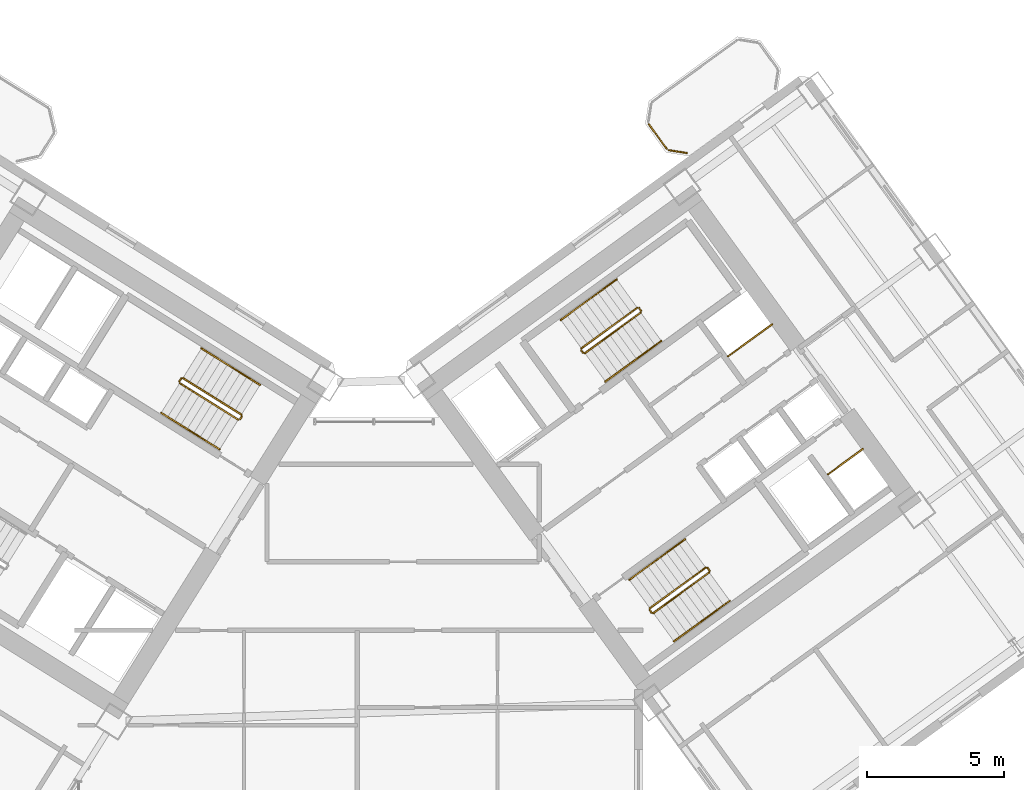
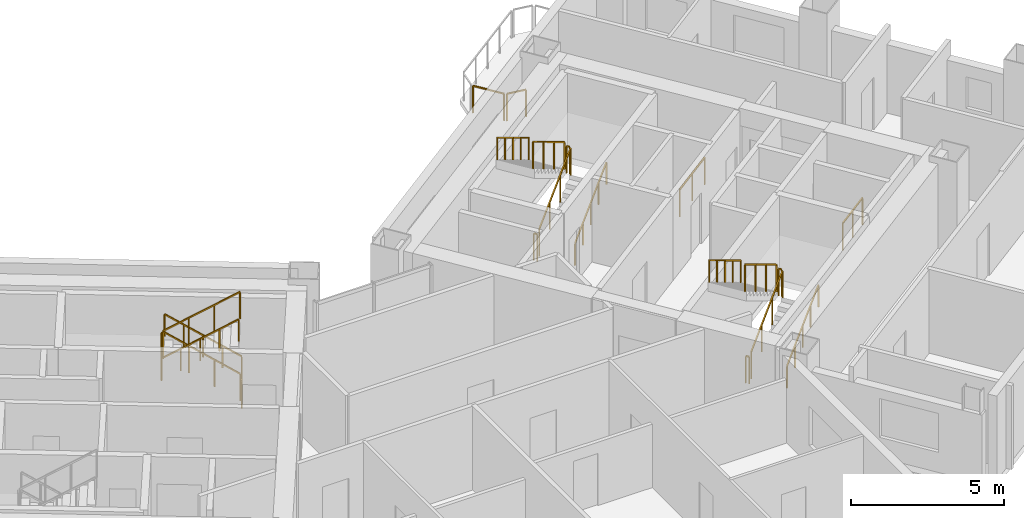
# One storey, part 23 of 24: 28 railings.
"""IFC4 building model written with IfcOpenShell, lengths in metres."""

from ifc_helpers import new_model, si_unit, direction, frame, origin, origin_2d, place, context, subcontext, project, spatial, rectangle, extrude, source, transform, mapped, material, type_object, element, save


model = new_model("IFC4")

# Units and contexts
model_context = context("Model", 3, precision=1e-05, world=origin(), true_north=direction((0.0, 1.0)))
body_context = subcontext(model_context, "Body", "Model", "MODEL_VIEW")
ifc_project = project(units=[si_unit("LENGTHUNIT", "METRE"), si_unit("AREAUNIT", "SQUARE_METRE"), si_unit("VOLUMEUNIT", "CUBIC_METRE"), si_unit("PLANEANGLEUNIT", "RADIAN"), si_unit("MASSUNIT", "GRAM", prefix="KILO")], contexts=[model_context])

# Site, building, storey
site_placement = place(None, origin())
site = spatial("IfcSite", under=ifc_project, at=site_placement, CompositionType="ELEMENT")
building_placement = place(site_placement, origin())
building = spatial("IfcBuilding", under=site, at=building_placement, Name="Tlacorven Tower", CompositionType="ELEMENT")
storey_placement = place(building_placement, frame((0.0, 0.0, 60.0)))
storey = spatial("IfcBuildingStorey", under=building, at=storey_placement, Name="L15", CompositionType="ELEMENT", Elevation=60.0)

# Railings
ifc_material = material(Name="Aluminium and painted steel balustrade", Category="steel")
railing_type_1 = type_object("IfcRailingType", Name="RL-GRD-1100", PredefinedType="GUARDRAIL", material=ifc_material)
shared_shape_1 = source(origin(), body_context, "Body", "SweptSolid", [
    extrude(rectangle(XDim=0.048095703125, YDim=0.048095703125, at=origin_2d()), frame((0.0, 0.0, 1.076171875), z_axis=(0.808947177504, 0.587881334972, 0.0), x_axis=(-0.587881334972, 0.808947177504, 0.0)), (0.0, 0.0, 1.0), 2.0),
    extrude(rectangle(XDim=0.0419921875, YDim=0.0419921875, at=origin_2d()), origin(), (0.0, 0.0, 1.0), 1.052001953125),
    extrude(rectangle(XDim=0.0419921875, YDim=0.0419921875, at=origin_2d()), frame((0.80908203125, 0.587890625, 0.0)), (0.0, 0.0, 1.0), 1.052001953125),
    extrude(rectangle(XDim=0.0419921875, YDim=0.0419921875, at=origin_2d()), frame((1.617919921875, 1.17578125, 0.0)), (0.0, 0.0, 1.0), 1.052001953125),
])
railing_1_placement = place(storey_placement, frame((55.506103515625, 25.438232421875, 0.0)))
element("IfcRailing", 1, at=railing_1_placement, inside=storey, type_object=railing_type_1, Name="L15 Electrical Riser E Shaft Guard 1", PredefinedType="GUARDRAIL", context=body_context, shape_type="MappedRepresentation", body=[
    mapped(shared_shape_1, transform((0.0, 0.0, 0.0), scale=1.0)),
])
shared_shape_2 = source(origin(), body_context, "Body", "SweptSolid", [
    extrude(rectangle(XDim=0.048095703125, YDim=0.048095703125, at=origin_2d()), frame((0.0, 0.0, 1.076171875), z_axis=(0.809029975545, 0.58776738483, 0.0), x_axis=(-0.58776738483, 0.809029975545, 0.0)), (0.0, 0.0, 1.0), 1.580078125),
    extrude(rectangle(XDim=0.0419921875, YDim=0.0419921875, at=origin_2d()), origin(), (0.0, 0.0, 1.0), 1.052001953125),
    extrude(rectangle(XDim=0.0419921875, YDim=0.0419921875, at=origin_2d()), frame((0.63916015625, 0.46435546875, 0.0)), (0.0, 0.0, 1.0), 1.052001953125),
    extrude(rectangle(XDim=0.0419921875, YDim=0.0419921875, at=origin_2d()), frame((1.2783203125, 0.9287109375, 0.0)), (0.0, 0.0, 1.0), 1.052001953125),
])
railing_2_placement = place(storey_placement, frame((59.160888671875, 21.122314453125, 0.0)))
element("IfcRailing", 2, at=railing_2_placement, inside=storey, type_object=railing_type_1, Name="L15 Smoke Riser E Shaft Guard 1", PredefinedType="GUARDRAIL", context=body_context, shape_type="MappedRepresentation", body=[
    mapped(shared_shape_2, transform((0.0, 0.0, 0.0), scale=1.0)),
])
railing_type_2 = type_object("IfcRailingType", Name="RL-BAL-1100", PredefinedType="BALUSTRADE", material=ifc_material)
shared_shape_3 = source(origin(), body_context, "Body", "SweptSolid", [
    extrude(rectangle(XDim=0.048095703125, YDim=0.048095703125, at=origin_2d()), frame((0.0, 0.0, 1.076171875), z_axis=(-0.987718317463, 0.156245081039, 0.0), x_axis=(-0.156245081039, -0.987718317463, 0.0)), (0.0, 0.0, 1.0), 0.66552734375),
    extrude(rectangle(XDim=0.0419921875, YDim=0.0419921875, at=origin_2d()), origin(), (0.0, 0.0, 1.0), 1.052001953125),
    extrude(rectangle(XDim=0.0419921875, YDim=0.0419921875, at=origin_2d()), frame((-0.657470703125, 0.10400390625, 0.0)), (0.0, 0.0, 1.0), 1.052001953125),
])
railing_3_placement = place(storey_placement, frame((54.00341796875, 32.8759765625, 0.0)))
element("IfcRailing", 3, at=railing_3_placement, inside=storey, type_object=railing_type_2, Name="BAL-L15-E-IN Guard Railing 1", PredefinedType="BALUSTRADE", context=body_context, shape_type="MappedRepresentation", body=[
    mapped(shared_shape_3, transform((0.0, 0.0, 0.0), scale=1.0)),
])
shared_shape_4 = source(origin(), body_context, "Body", "SweptSolid", [
    extrude(rectangle(XDim=0.048095703125, YDim=0.048095703125, at=origin_2d()), frame((0.0, 0.0, 1.076171875), z_axis=(-0.587740817519, 0.809049276263, 0.0), x_axis=(-0.809049276263, -0.587740817519, 0.0)), (0.0, 0.0, 1.0), 1.112060546875),
    extrude(rectangle(XDim=0.0419921875, YDim=0.0419921875, at=origin_2d()), origin(), (0.0, 0.0, 1.0), 1.052001953125),
    extrude(rectangle(XDim=0.0419921875, YDim=0.0419921875, at=origin_2d()), frame((-0.653564453125, 0.899658203125, 0.0)), (0.0, 0.0, 1.0), 1.052001953125),
])
railing_4_placement = place(storey_placement, frame((53.26708984375, 33.0283203125, 0.0)))
element("IfcRailing", 4, at=railing_4_placement, inside=storey, type_object=railing_type_2, Name="BAL-L15-E-IN Guard Railing 2", PredefinedType="BALUSTRADE", context=body_context, shape_type="MappedRepresentation", body=[
    mapped(shared_shape_4, transform((0.0, 0.0, 0.0), scale=1.0)),
])
shared_shape_5 = source(origin(), body_context, "Body", "SweptSolid", [
    extrude(rectangle(XDim=0.048095703125, YDim=0.048095703125, at=origin_2d()), frame((0.0, 0.0, 1.076171875), z_axis=(-0.713319727316, 0.445773895627, 0.540796265334), x_axis=(-0.529955395941, -0.84802551749, 0.0)), (0.0, 0.0, 1.0), 2.995849609375),
    extrude(rectangle(XDim=0.0419921875, YDim=0.0419921875, at=origin_2d()), origin(), (0.0, 0.0, 1.0), 1.052001953125),
    extrude(rectangle(XDim=0.0419921875, YDim=0.0419921875, at=origin_2d()), frame((-0.71240234375, 0.445068359375, 0.5400390625)), (0.0, 0.0, 1.0), 1.052001953125),
    extrude(rectangle(XDim=0.0419921875, YDim=0.0419921875, at=origin_2d()), frame((-1.424560546875, 0.890380859375, 1.080078125)), (0.0, 0.0, 1.0), 1.052001953125),
    extrude(rectangle(XDim=0.0419921875, YDim=0.0419921875, at=origin_2d()), frame((-2.136962890625, 1.33544921875, 1.6201171875)), (0.0, 0.0, 1.0), 1.052001953125),
])
railing_5_placement = place(storey_placement, frame((37.712158203125, 23.3095703125, 0.179931640625)))
element("IfcRailing", 5, at=railing_5_placement, inside=storey, type_object=railing_type_1, Name="L15 ST-W2 stair guard 1", PredefinedType="GUARDRAIL", context=body_context, shape_type="MappedRepresentation", body=[
    mapped(shared_shape_5, transform((0.0, 0.0, 0.0), scale=1.0)),
])
shared_shape_6 = source(origin(), body_context, "Body", "SweptSolid", [
    extrude(rectangle(XDim=0.048095703125, YDim=0.048095703125, at=origin_2d()), frame((0.0, 0.0, 1.076171875), z_axis=(-0.530546985787, -0.847655529016, 0.0), x_axis=(0.847655529016, -0.530546985787, 0.0)), (0.0, 0.0, 1.0), 0.1201171875),
    extrude(rectangle(XDim=0.0419921875, YDim=0.0419921875, at=origin_2d()), origin(), (0.0, 0.0, 1.0), 1.052001953125),
    extrude(rectangle(XDim=0.0419921875, YDim=0.0419921875, at=origin_2d()), frame((-0.063720703125, -0.101806640625, 0.0)), (0.0, 0.0, 1.0), 1.052001953125),
])
railing_6_placement = place(storey_placement, frame((37.728271484375, 23.24072265625, 0.0)))
element("IfcRailing", 6, at=railing_6_placement, inside=storey, type_object=railing_type_1, Name="L15 ST-W2 stair guard 4", PredefinedType="GUARDRAIL", context=body_context, shape_type="MappedRepresentation", body=[
    mapped(shared_shape_6, transform((0.0, 0.0, 0.0), scale=1.0)),
])
railing_type_3 = type_object("IfcRailingType", Name="RL-HND-0900", PredefinedType="HANDRAIL", material=ifc_material)
shared_shape_7 = source(origin(), body_context, "Body", "SweptSolid", [
    extrude(rectangle(XDim=0.048095703125, YDim=0.048095703125, at=origin_2d()), frame((0.0, 0.0, 0.8759765625), z_axis=(-0.713359751793, 0.4457479829, 0.540764828981), x_axis=(-0.529911857636, -0.848052724267, 0.0)), (0.0, 0.0, 1.0), 1.498046875),
    extrude(rectangle(XDim=0.0419921875, YDim=0.0419921875, at=origin_2d()), origin(), (0.0, 0.0, 1.0), 0.851806640625),
    extrude(rectangle(XDim=0.0419921875, YDim=0.0419921875, at=origin_2d()), frame((-0.5341796875, 0.333984375, 0.405029296875)), (0.0, 0.0, 1.0), 0.851806640625),
    extrude(rectangle(XDim=0.0419921875, YDim=0.0419921875, at=origin_2d()), frame((-1.068603515625, 0.667724609375, 0.81005859375)), (0.0, 0.0, 1.0), 0.851806640625),
])
for number, where, name in (
    (7, (38.390625, 24.39501953125, 0.179931640625), "L15 ST-W2 stair handrail 1"),
    (8, (37.322021484375, 25.062744140625, 0.989990234375), "L15 ST-W2 stair handrail 2"),
):
    element("IfcRailing", number, at=place(storey_placement, frame(where)), inside=storey, type_object=railing_type_3, Name=name, PredefinedType="HANDRAIL", context=body_context, shape_type="MappedRepresentation", body=[
        mapped(shared_shape_7, transform((0.0, 0.0, 0.0), scale=1.0)),
    ])
shared_shape_8 = source(origin(), body_context, "Body", "SweptSolid", [
    extrude(rectangle(XDim=0.048095703125, YDim=0.048095703125, at=origin_2d()), frame((0.0, 0.0, 0.8759765625), z_axis=(0.713359751793, -0.4457479829, 0.540764828981), x_axis=(0.529911857636, 0.848052724267, 0.0)), (0.0, 0.0, 1.0), 1.498046875),
    extrude(rectangle(XDim=0.0419921875, YDim=0.0419921875, at=origin_2d()), origin(), (0.0, 0.0, 1.0), 0.851806640625),
    extrude(rectangle(XDim=0.0419921875, YDim=0.0419921875, at=origin_2d()), frame((0.5341796875, -0.333984375, 0.405029296875)), (0.0, 0.0, 1.0), 0.851806640625),
    extrude(rectangle(XDim=0.0419921875, YDim=0.0419921875, at=origin_2d()), frame((1.068603515625, -0.667724609375, 0.81005859375)), (0.0, 0.0, 1.0), 0.851806640625),
])
for number, where, name in (
    (9, (34.7802734375, 23.372802734375, 1.97998046875), "L15 ST-W2 stair handrail 3"),
    (10, (35.848876953125, 22.705078125, 2.7900390625), "L15 ST-W2 stair handrail 4"),
):
    element("IfcRailing", number, at=place(storey_placement, frame(where)), inside=storey, type_object=railing_type_3, Name=name, PredefinedType="HANDRAIL", context=body_context, shape_type="MappedRepresentation", body=[
        mapped(shared_shape_8, transform((0.0, 0.0, 0.0), scale=1.0)),
    ])
shared_shape_9 = source(origin(), body_context, "Body", "SweptSolid", [
    extrude(rectangle(XDim=0.048095703125, YDim=0.048095703125, at=origin_2d()), frame((0.0, 0.0, 1.076171875), z_axis=(-0.531462422766, -0.847081869236, 0.0), x_axis=(0.847081869236, -0.531462422766, 0.0)), (0.0, 0.0, 1.0), 0.119873046875),
    extrude(rectangle(XDim=0.0419921875, YDim=0.0419921875, at=origin_2d()), origin(), (0.0, 0.0, 1.0), 1.052001953125),
    extrude(rectangle(XDim=0.0419921875, YDim=0.0419921875, at=origin_2d()), frame((-0.063720703125, -0.1015625, 0.0)), (0.0, 0.0, 1.0), 1.052001953125),
])
railing_7_placement = place(storey_placement, frame((35.50634765625, 24.62890625, 1.800048828125)))
element("IfcRailing", 11, at=railing_7_placement, inside=storey, type_object=railing_type_1, Name="L15 ST-W2 stair guard 2", PredefinedType="GUARDRAIL", context=body_context, shape_type="MappedRepresentation", body=[
    mapped(shared_shape_9, transform((0.0, 0.0, 0.0), scale=1.0)),
])
shared_shape_10 = source(origin(), body_context, "Body", "SweptSolid", [
    extrude(rectangle(XDim=0.048095703125, YDim=0.048095703125, at=origin_2d()), frame((0.0, 0.0, 1.076171875), z_axis=(0.713385662783, -0.445682681033, 0.540784470897), x_axis=(0.52984217967, 0.848096259066, 0.0)), (0.0, 0.0, 1.0), 2.995849609375),
    extrude(rectangle(XDim=0.0419921875, YDim=0.0419921875, at=origin_2d()), origin(), (0.0, 0.0, 1.0), 1.052001953125),
    extrude(rectangle(XDim=0.0419921875, YDim=0.0419921875, at=origin_2d()), frame((0.71240234375, -0.445068359375, 0.5400390625)), (0.0, 0.0, 1.0), 1.052001953125),
    extrude(rectangle(XDim=0.0419921875, YDim=0.0419921875, at=origin_2d()), frame((1.4248046875, -0.89013671875, 1.080078125)), (0.0, 0.0, 1.0), 1.052001953125),
    extrude(rectangle(XDim=0.0419921875, YDim=0.0419921875, at=origin_2d()), frame((2.13720703125, -1.335205078125, 1.6201171875)), (0.0, 0.0, 1.0), 1.052001953125),
])
railing_8_placement = place(storey_placement, frame((35.45849609375, 24.458251953125, 1.97998046875)))
element("IfcRailing", 12, at=railing_8_placement, inside=storey, type_object=railing_type_1, Name="L15 ST-W2 stair guard 3", PredefinedType="GUARDRAIL", context=body_context, shape_type="MappedRepresentation", body=[
    mapped(shared_shape_10, transform((0.0, 0.0, 0.0), scale=1.0)),
])
shared_shape_11 = source(origin(), body_context, "Body", "SweptSolid", [
    extrude(rectangle(XDim=0.048095703125, YDim=0.048095703125, at=origin_2d()), frame((0.0, 0.0, 1.076171875), z_axis=(-0.587567097037, 0.809175448515, 0.0), x_axis=(-0.809175448515, -0.587567097037, 0.0)), (0.0, 0.0, 1.0), 0.1201171875),
    extrude(rectangle(XDim=0.0419921875, YDim=0.0419921875, at=origin_2d()), origin(), (0.0, 0.0, 1.0), 1.052001953125),
    extrude(rectangle(XDim=0.0419921875, YDim=0.0419921875, at=origin_2d()), frame((-0.070556640625, 0.09716796875, 0.0)), (0.0, 0.0, 1.0), 1.052001953125),
])
for number, where, name in (
    (13, (54.8310546875, 17.605712890625, 1.800048828125), "L15 ST-E2 stair guard 2"),
    (14, (52.71142578125, 16.065673828125, 0.0), "L15 ST-E2 stair guard 4"),
):
    element("IfcRailing", number, at=place(storey_placement, frame(where)), inside=storey, type_object=railing_type_1, Name=name, PredefinedType="GUARDRAIL", context=body_context, shape_type="MappedRepresentation", body=[
        mapped(shared_shape_11, transform((0.0, 0.0, 0.0), scale=1.0)),
    ])
shared_shape_12 = source(origin(), body_context, "Body", "SweptSolid", [
    extrude(rectangle(XDim=0.048095703125, YDim=0.048095703125, at=origin_2d()), frame((0.0, 0.0, 1.076171875), z_axis=(-0.587201422542, 0.809440849824, 0.0), x_axis=(-0.809440849824, -0.587201422542, 0.0)), (0.0, 0.0, 1.0), 0.11962890625),
    extrude(rectangle(XDim=0.0419921875, YDim=0.0419921875, at=origin_2d()), origin(), (0.0, 0.0, 1.0), 1.052001953125),
    extrude(rectangle(XDim=0.0419921875, YDim=0.0419921875, at=origin_2d()), frame((-0.0703125, 0.096923828125, 0.0)), (0.0, 0.0, 1.0), 1.052001953125),
])
for number, where, name in (
    (15, (52.326904296875, 27.10888671875, 1.800048828125), "L15 ST-E1 stair guard 2"),
    (16, (50.207275390625, 25.56884765625, 0.0), "L15 ST-E1 stair guard 4"),
):
    element("IfcRailing", number, at=place(storey_placement, frame(where)), inside=storey, type_object=railing_type_1, Name=name, PredefinedType="GUARDRAIL", context=body_context, shape_type="MappedRepresentation", body=[
        mapped(shared_shape_12, transform((0.0, 0.0, 0.0), scale=1.0)),
    ])
shared_shape_13 = source(origin(), body_context, "Body", "SweptSolid", [
    extrude(rectangle(XDim=0.048095703125, YDim=0.048095703125, at=origin_2d()), frame((0.0, 0.0, 1.076171875), z_axis=(0.680488636597, 0.494434078831, 0.540805100894), x_axis=(-0.5878087079, 0.808999952359, 0.0)), (0.0, 0.0, 1.0), 2.995849609375),
    extrude(rectangle(XDim=0.0419921875, YDim=0.0419921875, at=origin_2d()), origin(), (0.0, 0.0, 1.0), 1.052001953125),
    extrude(rectangle(XDim=0.0419921875, YDim=0.0419921875, at=origin_2d()), frame((0.679443359375, 0.49365234375, 0.5400390625)), (0.0, 0.0, 1.0), 1.052001953125),
    extrude(rectangle(XDim=0.0419921875, YDim=0.0419921875, at=origin_2d()), frame((1.359130859375, 0.987548828125, 1.080078125)), (0.0, 0.0, 1.0), 1.052001953125),
    extrude(rectangle(XDim=0.0419921875, YDim=0.0419921875, at=origin_2d()), frame((2.03857421875, 1.481201171875, 1.6201171875)), (0.0, 0.0, 1.0), 1.052001953125),
])
railing_9_placement = place(storey_placement, frame((50.27734375, 25.557861328125, 0.179931640625)))
element("IfcRailing", 17, at=railing_9_placement, inside=storey, type_object=railing_type_1, Name="L15 ST-E1 stair guard 1", PredefinedType="GUARDRAIL", context=body_context, shape_type="MappedRepresentation", body=[
    mapped(shared_shape_13, transform((0.0, 0.0, 0.0), scale=1.0)),
])
shared_shape_14 = source(origin(), body_context, "Body", "SweptSolid", [
    extrude(rectangle(XDim=0.048095703125, YDim=0.048095703125, at=origin_2d()), frame((0.0, 0.0, 1.076171875), z_axis=(-0.680488636597, -0.494434078831, 0.540805100894), x_axis=(0.5878087079, -0.808999952359, 0.0)), (0.0, 0.0, 1.0), 2.995849609375),
    extrude(rectangle(XDim=0.0419921875, YDim=0.0419921875, at=origin_2d()), origin(), (0.0, 0.0, 1.0), 1.052001953125),
    extrude(rectangle(XDim=0.0419921875, YDim=0.0419921875, at=origin_2d()), frame((-0.679443359375, -0.49365234375, 0.5400390625)), (0.0, 0.0, 1.0), 1.052001953125),
    extrude(rectangle(XDim=0.0419921875, YDim=0.0419921875, at=origin_2d()), frame((-1.359130859375, -0.987548828125, 1.080078125)), (0.0, 0.0, 1.0), 1.052001953125),
    extrude(rectangle(XDim=0.0419921875, YDim=0.0419921875, at=origin_2d()), frame((-2.03857421875, -1.481201171875, 1.6201171875)), (0.0, 0.0, 1.0), 1.052001953125),
])
railing_10_placement = place(storey_placement, frame((52.1865234375, 27.217041015625, 1.97998046875)))
element("IfcRailing", 18, at=railing_10_placement, inside=storey, type_object=railing_type_1, Name="L15 ST-E1 stair guard 3", PredefinedType="GUARDRAIL", context=body_context, shape_type="MappedRepresentation", body=[
    mapped(shared_shape_14, transform((0.0, 0.0, 0.0), scale=1.0)),
])
shared_shape_15 = source(origin(), body_context, "Body", "SweptSolid", [
    extrude(rectangle(XDim=0.048095703125, YDim=0.048095703125, at=origin_2d()), frame((0.0, 0.0, 0.8759765625), z_axis=(0.680516055757, 0.494372502302, 0.540826891737), x_axis=(-0.587745292299, 0.809046025502, 0.0)), (0.0, 0.0, 1.0), 1.497802734375),
    extrude(rectangle(XDim=0.0419921875, YDim=0.0419921875, at=origin_2d()), origin(), (0.0, 0.0, 1.0), 0.851806640625),
    extrude(rectangle(XDim=0.0419921875, YDim=0.0419921875, at=origin_2d()), frame((0.509765625, 0.3701171875, 0.405029296875)), (0.0, 0.0, 1.0), 0.851806640625),
    extrude(rectangle(XDim=0.0419921875, YDim=0.0419921875, at=origin_2d()), frame((1.019287109375, 0.740478515625, 0.81005859375)), (0.0, 0.0, 1.0), 0.851806640625),
])
for number, where, name in (
    (19, (51.029541015625, 24.522216796875, 0.179931640625), "L15 ST-E1 stair handrail 1"),
    (20, (54.552978515625, 15.759765625, 0.989990234375), "L15 ST-E2 stair handrail 2"),
):
    element("IfcRailing", number, at=place(storey_placement, frame(where)), inside=storey, type_object=railing_type_3, Name=name, PredefinedType="HANDRAIL", context=body_context, shape_type="MappedRepresentation", body=[
        mapped(shared_shape_15, transform((0.0, 0.0, 0.0), scale=1.0)),
    ])
shared_shape_16 = source(origin(), body_context, "Body", "SweptSolid", [
    extrude(rectangle(XDim=0.048095703125, YDim=0.048095703125, at=origin_2d()), frame((0.0, 0.0, 0.8759765625), z_axis=(0.680548719995, 0.49444080854, 0.540723336433), x_axis=(-0.587779977844, 0.80902082646, 0.0)), (0.0, 0.0, 1.0), 1.498046875),
    extrude(rectangle(XDim=0.0419921875, YDim=0.0419921875, at=origin_2d()), origin(), (0.0, 0.0, 1.0), 0.851806640625),
    extrude(rectangle(XDim=0.0419921875, YDim=0.0419921875, at=origin_2d()), frame((0.509765625, 0.370361328125, 0.405029296875)), (0.0, 0.0, 1.0), 0.851806640625),
    extrude(rectangle(XDim=0.0419921875, YDim=0.0419921875, at=origin_2d()), frame((1.01953125, 0.74072265625, 0.81005859375)), (0.0, 0.0, 1.0), 0.851806640625),
])
railing_11_placement = place(storey_placement, frame((52.048828125, 25.2626953125, 0.989990234375)))
element("IfcRailing", 21, at=railing_11_placement, inside=storey, type_object=railing_type_3, Name="L15 ST-E1 stair handrail 2", PredefinedType="HANDRAIL", context=body_context, shape_type="MappedRepresentation", body=[
    mapped(shared_shape_16, transform((0.0, 0.0, 0.0), scale=1.0)),
])
shared_shape_17 = source(origin(), body_context, "Body", "SweptSolid", [
    extrude(rectangle(XDim=0.048095703125, YDim=0.048095703125, at=origin_2d()), frame((0.0, 0.0, 0.8759765625), z_axis=(-0.680603554404, -0.494317667746, 0.540766904577), x_axis=(0.587653156371, -0.809112951205, 0.0)), (0.0, 0.0, 1.0), 1.498046875),
    extrude(rectangle(XDim=0.0419921875, YDim=0.0419921875, at=origin_2d()), origin(), (0.0, 0.0, 1.0), 0.851806640625),
    extrude(rectangle(XDim=0.0419921875, YDim=0.0419921875, at=origin_2d()), frame((-0.509765625, -0.3701171875, 0.405029296875)), (0.0, 0.0, 1.0), 0.851806640625),
    extrude(rectangle(XDim=0.0419921875, YDim=0.0419921875, at=origin_2d()), frame((-1.01953125, -0.740478515625, 0.81005859375)), (0.0, 0.0, 1.0), 0.851806640625),
])
railing_12_placement = place(storey_placement, frame((51.434326171875, 28.25244140625, 1.97998046875)))
element("IfcRailing", 22, at=railing_12_placement, inside=storey, type_object=railing_type_3, Name="L15 ST-E1 stair handrail 3", PredefinedType="HANDRAIL", context=body_context, shape_type="MappedRepresentation", body=[
    mapped(shared_shape_17, transform((0.0, 0.0, 0.0), scale=1.0)),
])
shared_shape_18 = source(origin(), body_context, "Body", "SweptSolid", [
    extrude(rectangle(XDim=0.048095703125, YDim=0.048095703125, at=origin_2d()), frame((0.0, 0.0, 0.8759765625), z_axis=(-0.680461216233, -0.494495647917, 0.540783309093), x_axis=(0.587872112667, -0.808953879494, 0.0)), (0.0, 0.0, 1.0), 1.498046875),
    extrude(rectangle(XDim=0.0419921875, YDim=0.0419921875, at=origin_2d()), origin(), (0.0, 0.0, 1.0), 0.851806640625),
    extrude(rectangle(XDim=0.0419921875, YDim=0.0419921875, at=origin_2d()), frame((-0.509765625, -0.370361328125, 0.405029296875)), (0.0, 0.0, 1.0), 0.851806640625),
    extrude(rectangle(XDim=0.0419921875, YDim=0.0419921875, at=origin_2d()), frame((-1.019287109375, -0.74072265625, 0.81005859375)), (0.0, 0.0, 1.0), 0.851806640625),
])
for number, where, name in (
    (23, (50.414794921875, 27.511962890625, 2.7900390625), "L15 ST-E1 stair handrail 4"),
    (24, (52.9189453125, 18.0087890625, 2.7900390625), "L15 ST-E2 stair handrail 4"),
):
    element("IfcRailing", number, at=place(storey_placement, frame(where)), inside=storey, type_object=railing_type_3, Name=name, PredefinedType="HANDRAIL", context=body_context, shape_type="MappedRepresentation", body=[
        mapped(shared_shape_18, transform((0.0, 0.0, 0.0), scale=1.0)),
    ])
shared_shape_19 = source(origin(), body_context, "Body", "SweptSolid", [
    extrude(rectangle(XDim=0.048095703125, YDim=0.048095703125, at=origin_2d()), frame((0.0, 0.0, 1.076171875), z_axis=(0.680532390839, 0.494406659708, 0.54077511024), x_axis=(-0.587762637553, 0.809033424462, 0.0)), (0.0, 0.0, 1.0), 2.995849609375),
    extrude(rectangle(XDim=0.0419921875, YDim=0.0419921875, at=origin_2d()), origin(), (0.0, 0.0, 1.0), 1.052001953125),
    extrude(rectangle(XDim=0.0419921875, YDim=0.0419921875, at=origin_2d()), frame((0.6796875, 0.49365234375, 0.5400390625)), (0.0, 0.0, 1.0), 1.052001953125),
    extrude(rectangle(XDim=0.0419921875, YDim=0.0419921875, at=origin_2d()), frame((1.359130859375, 0.987548828125, 1.080078125)), (0.0, 0.0, 1.0), 1.052001953125),
    extrude(rectangle(XDim=0.0419921875, YDim=0.0419921875, at=origin_2d()), frame((2.038818359375, 1.481201171875, 1.6201171875)), (0.0, 0.0, 1.0), 1.052001953125),
])
railing_13_placement = place(storey_placement, frame((52.78125, 16.0546875, 0.179931640625)))
element("IfcRailing", 25, at=railing_13_placement, inside=storey, type_object=railing_type_1, Name="L15 ST-E2 stair guard 1", PredefinedType="GUARDRAIL", context=body_context, shape_type="MappedRepresentation", body=[
    mapped(shared_shape_19, transform((0.0, 0.0, 0.0), scale=1.0)),
])
shared_shape_20 = source(origin(), body_context, "Body", "SweptSolid", [
    extrude(rectangle(XDim=0.048095703125, YDim=0.048095703125, at=origin_2d()), frame((0.0, 0.0, 1.076171875), z_axis=(-0.680532390839, -0.494406659708, 0.54077511024), x_axis=(0.587762637553, -0.809033424462, 0.0)), (0.0, 0.0, 1.0), 2.995849609375),
    extrude(rectangle(XDim=0.0419921875, YDim=0.0419921875, at=origin_2d()), origin(), (0.0, 0.0, 1.0), 1.052001953125),
    extrude(rectangle(XDim=0.0419921875, YDim=0.0419921875, at=origin_2d()), frame((-0.6796875, -0.49365234375, 0.5400390625)), (0.0, 0.0, 1.0), 1.052001953125),
    extrude(rectangle(XDim=0.0419921875, YDim=0.0419921875, at=origin_2d()), frame((-1.359130859375, -0.987548828125, 1.080078125)), (0.0, 0.0, 1.0), 1.052001953125),
    extrude(rectangle(XDim=0.0419921875, YDim=0.0419921875, at=origin_2d()), frame((-2.038818359375, -1.481201171875, 1.6201171875)), (0.0, 0.0, 1.0), 1.052001953125),
])
railing_14_placement = place(storey_placement, frame((54.690673828125, 17.7138671875, 1.97998046875)))
element("IfcRailing", 26, at=railing_14_placement, inside=storey, type_object=railing_type_1, Name="L15 ST-E2 stair guard 3", PredefinedType="GUARDRAIL", context=body_context, shape_type="MappedRepresentation", body=[
    mapped(shared_shape_20, transform((0.0, 0.0, 0.0), scale=1.0)),
])
shared_shape_21 = source(origin(), body_context, "Body", "SweptSolid", [
    extrude(rectangle(XDim=0.048095703125, YDim=0.048095703125, at=origin_2d()), frame((0.0, 0.0, 0.8759765625), z_axis=(0.680461216233, 0.494495647917, 0.540783309093), x_axis=(-0.587872112667, 0.808953879494, 0.0)), (0.0, 0.0, 1.0), 1.498046875),
    extrude(rectangle(XDim=0.0419921875, YDim=0.0419921875, at=origin_2d()), origin(), (0.0, 0.0, 1.0), 0.851806640625),
    extrude(rectangle(XDim=0.0419921875, YDim=0.0419921875, at=origin_2d()), frame((0.509765625, 0.370361328125, 0.405029296875)), (0.0, 0.0, 1.0), 0.851806640625),
    extrude(rectangle(XDim=0.0419921875, YDim=0.0419921875, at=origin_2d()), frame((1.019287109375, 0.74072265625, 0.81005859375)), (0.0, 0.0, 1.0), 0.851806640625),
])
railing_15_placement = place(storey_placement, frame((53.53369140625, 15.01904296875, 0.179931640625)))
element("IfcRailing", 27, at=railing_15_placement, inside=storey, type_object=railing_type_3, Name="L15 ST-E2 stair handrail 1", PredefinedType="HANDRAIL", context=body_context, shape_type="MappedRepresentation", body=[
    mapped(shared_shape_21, transform((0.0, 0.0, 0.0), scale=1.0)),
])
shared_shape_22 = source(origin(), body_context, "Body", "SweptSolid", [
    extrude(rectangle(XDim=0.048095703125, YDim=0.048095703125, at=origin_2d()), frame((0.0, 0.0, 0.8759765625), z_axis=(-0.680516055757, -0.494372502302, 0.540826891737), x_axis=(0.587745292299, -0.809046025502, 0.0)), (0.0, 0.0, 1.0), 1.497802734375),
    extrude(rectangle(XDim=0.0419921875, YDim=0.0419921875, at=origin_2d()), origin(), (0.0, 0.0, 1.0), 0.851806640625),
    extrude(rectangle(XDim=0.0419921875, YDim=0.0419921875, at=origin_2d()), frame((-0.509765625, -0.3701171875, 0.405029296875)), (0.0, 0.0, 1.0), 0.851806640625),
    extrude(rectangle(XDim=0.0419921875, YDim=0.0419921875, at=origin_2d()), frame((-1.019287109375, -0.740478515625, 0.81005859375)), (0.0, 0.0, 1.0), 0.851806640625),
])
railing_16_placement = place(storey_placement, frame((53.938232421875, 18.749267578125, 1.97998046875)))
element("IfcRailing", 28, at=railing_16_placement, inside=storey, type_object=railing_type_3, Name="L15 ST-E2 stair handrail 3", PredefinedType="HANDRAIL", context=body_context, shape_type="MappedRepresentation", body=[
    mapped(shared_shape_22, transform((0.0, 0.0, 0.0), scale=1.0)),
])

save(model, "model.ifc")
